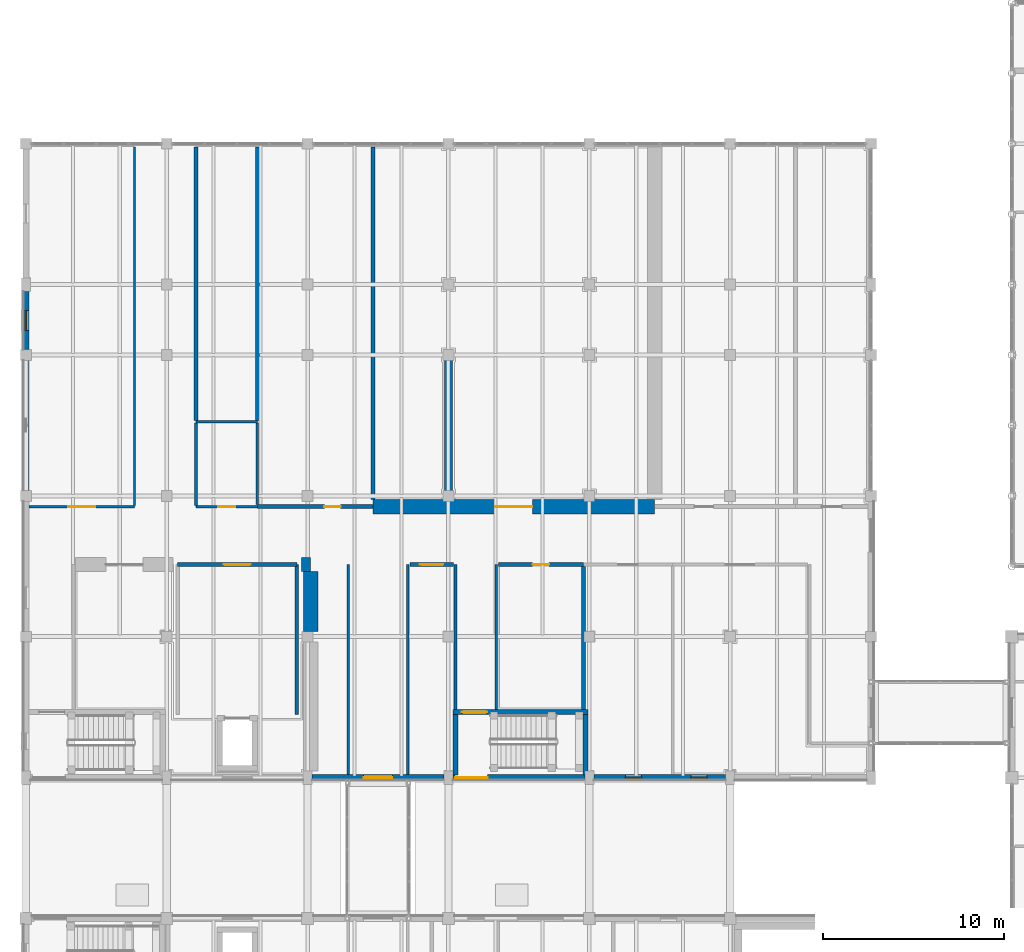
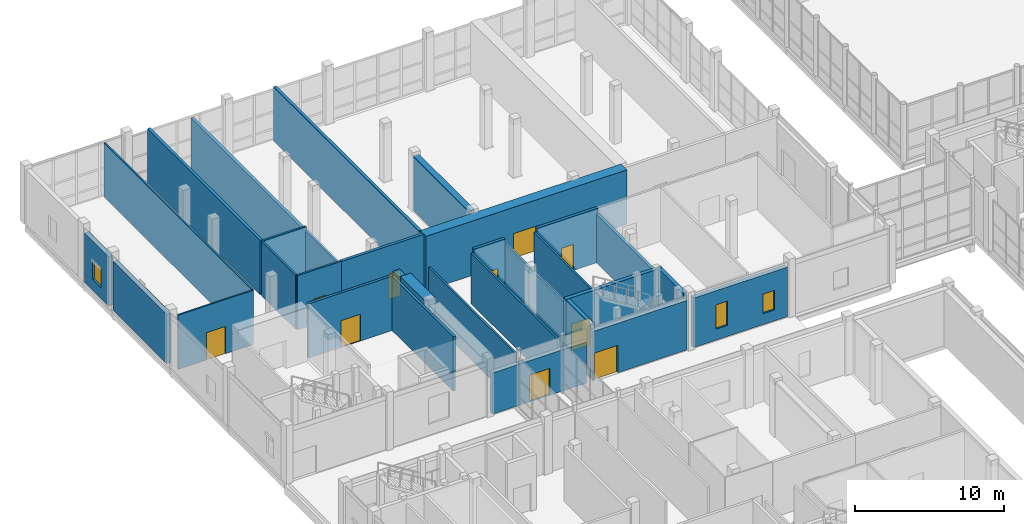
# One storey, part 94 of 131: 31 walls, 10 doors, 3 windows, 13 openings.
"""IFC4 building model written with IfcOpenShell, lengths in metres."""

from ifc_helpers import new_model, si_unit, direction, frame, frame_2d, origin, place, context, subcontext, project, spatial, rectangle, extrude, material, layer, layer_set, type_object, element, fill, save


model = new_model("IFC4")

# Units and contexts
model_context = context("Model", 3, precision=1e-05, world=origin(), true_north=direction((0.0, 1.0)))
body_context = subcontext(model_context, "Body", "Model", "MODEL_VIEW")
ifc_project = project(units=[si_unit("LENGTHUNIT", "METRE"), si_unit("AREAUNIT", "SQUARE_METRE"), si_unit("VOLUMEUNIT", "CUBIC_METRE"), si_unit("PLANEANGLEUNIT", "RADIAN"), si_unit("MASSUNIT", "GRAM", prefix="KILO")], contexts=[model_context])

# Site, building, storey
site_placement = place(None, origin())
site = spatial("IfcSite", under=ifc_project, at=site_placement, CompositionType="ELEMENT")
building_placement = place(site_placement, origin())
building = spatial("IfcBuilding", under=site, at=building_placement, Name="Celorna Specialist Clinic", CompositionType="ELEMENT")
storey_placement = place(building_placement, origin())
storey = spatial("IfcBuildingStorey", under=building, at=storey_placement, Name="L00", CompositionType="ELEMENT", Elevation=0.0)

# Wall
ifc_material_1 = material(Name="Concrete C40/50", Category="concrete")
ifc_layer_1 = layer(ifc_material_1, 0.800048828125, Name="Concrete C40/50")
ifc_layer_set_1 = layer_set([ifc_layer_1], Name="Concrete C40/50")
wall_type_1 = type_object("IfcWallType", Name="WT-02", PredefinedType="SOLIDWALL", material=ifc_layer_set_1)
wall_1_placement = place(storey_placement, frame((15.77001953125, 46.89990234375, 0.0), z_axis=(0.0, 0.0, 1.0), x_axis=(-1.0, 0.0, 0.0)))
element("IfcWall", 1, at=wall_1_placement, inside=storey, type_object=wall_type_1, Name="Interior partition WT-02 L00-026", PredefinedType="SOLIDWALL", context=body_context, shape_type="SweptSolid", body=[
    extrude(rectangle(XDim=0.52001953125, YDim=0.800048828125, at=frame_2d((0.260009765625, 0.0))), origin(), (0.0, 0.0, 1.0), 4.4599609375),
])

# Wall, opening, door
wall_2_placement = place(storey_placement, frame((19.219970703125, 50.10009765625, 0.0), z_axis=(0.0, 0.0, 1.0), x_axis=(1.0, 0.0, 0.0)))
wall_2 = element("IfcWall", 2, at=wall_2_placement, inside=storey, type_object=wall_type_1, Name="Interior partition WT-02 L00-034", PredefinedType="SOLIDWALL", context=body_context, shape_type="SweptSolid", body=[
    extrude(rectangle(XDim=15.60009765625, YDim=0.800048828125, at=frame_2d((7.800048828125, 0.0))), origin(), (0.0, 0.0, 1.0), 4.4599609375),
])
opening_1_placement = place(wall_2_placement, frame((6.77490234375, 0.0, 0.0)))
opening_1 = element("IfcOpeningElement", 3, at=opening_1_placement, cuts=wall_2, Name="Opening DR-18", PredefinedType="OPENING", context=body_context, shape_type="SweptSolid", body=[
    extrude(rectangle(XDim=2.050048828125, YDim=2.300048828125, at=frame_2d((1.02490234375, 1.14990234375))), frame((0.0, 0.409912109375, 0.0), z_axis=(0.0, -1.0, 0.0), x_axis=(1.0, 0.0, 0.0)), (0.0, 0.0, 1.0), 0.820068359375),
])
ifc_material_2 = material(Name="RF-shielded MRI suite double door")
door_type_1 = type_object("IfcDoorType", Name="DR-18", OperationType="DOUBLE_DOOR_SINGLE_SWING", PredefinedType="DOOR", material=ifc_material_2)
door_1_placement = place(opening_1_placement, origin())
door_1 = element("IfcDoor", 4, at=door_1_placement, inside=storey, type_object=door_type_1, Name="MRI Diagnostic Imaging Suite door L00-034", OperationType="DOUBLE_DOOR_SINGLE_SWING", OverallHeight=2.300048828125, OverallWidth=2.050048828125, PredefinedType="DOOR", context=body_context, shape_type="SweptSolid", body=[
    extrude(rectangle(XDim=2.050048828125, YDim=2.300048828125, at=frame_2d((1.02490234375, 1.14990234375))), frame((0.0, 0.02490234375, 0.0), z_axis=(0.0, -1.0, 0.0), x_axis=(1.0, 0.0, 0.0)), (0.0, 0.0, 1.0), 0.050048828125),
])
fill(opening_1, door_1)

# Walls
wall_3_placement = place(storey_placement, frame((15.77001953125, 43.199951171875, 0.0), z_axis=(0.0, 0.0, 1.0), x_axis=(0.0, 1.0, 0.0)))
element("IfcWall", 5, at=wall_3_placement, inside=storey, type_object=wall_type_1, Name="Room dividing partition WT-02 L00-026", PredefinedType="SOLIDWALL", context=body_context, shape_type="SweptSolid", body=[
    extrude(rectangle(XDim=3.300048828125, YDim=0.800048828125, at=frame_2d((1.64990234375, 0.0))), origin(), (0.0, 0.0, 1.0), 4.4599609375),
])
ifc_layer_2 = layer(ifc_material_1, 0.449951171875, Name="Concrete C40/50")
ifc_layer_set_2 = layer_set([ifc_layer_2], Name="Concrete C40/50")
wall_type_2 = type_object("IfcWallType", Name="WT-04", PredefinedType="SHEAR", material=ifc_layer_set_2)
wall_4_placement = place(storey_placement, frame((23.39990234375, 50.85009765625, 0.0), z_axis=(0.0, 0.0, 1.0), x_axis=(0.0, 1.0, 0.0)))
element("IfcWall", 6, at=wall_4_placement, inside=storey, type_object=wall_type_2, Name="Structural RC shear wall WT-04 V2 L00", PredefinedType="SHEAR", context=body_context, shape_type="SweptSolid", body=[
    extrude(rectangle(XDim=7.5, YDim=0.449951171875, at=frame_2d((3.75, 0.0))), origin(), (0.0, 0.0, 1.0), 4.4599609375),
])

# Wall, opening, door
ifc_material_3 = material(Name="Pero Pinheiro Lioz limestone insulated masonry", Category="masonry")
ifc_layer_3 = layer(ifc_material_3, 0.340087890625, Name="Pero Pinheiro Lioz limestone insulated masonry")
ifc_layer_set_3 = layer_set([ifc_layer_3], Name="Pero Pinheiro Lioz limestone insulated masonry")
wall_type_3 = type_object("IfcWallType", Name="WT-07", PredefinedType="STANDARD", material=ifc_layer_set_3)
wall_5_placement = place(storey_placement, frame((23.14990234375, 35.10009765625, 0.0), z_axis=(0.0, 0.0, 1.0), x_axis=(-1.0, 0.0, 0.0)))
wall_5 = element("IfcWall", 7, at=wall_5_placement, inside=storey, type_object=wall_type_3, Name="External facade wall WT-07 #104", PredefinedType="STANDARD", context=body_context, shape_type="SweptSolid", body=[
    extrude(rectangle(XDim=7.2998046875, YDim=0.340087890625, at=frame_2d((3.64990234375, 0.0))), origin(), (0.0, 0.0, 1.0), 3.385009765625),
])
opening_2_placement = place(wall_5_placement, frame((2.85009765625, 0.0, 0.0)))
opening_2 = element("IfcOpeningElement", 8, at=opening_2_placement, cuts=wall_5, Name="Opening DR-12", PredefinedType="OPENING", context=body_context, shape_type="SweptSolid", body=[
    extrude(rectangle(XDim=1.60009765625, YDim=2.199951171875, at=frame_2d((0.800048828125, 1.10009765625))), frame((0.0, 0.179931640625, 0.0), z_axis=(0.0, -1.0, 0.0), x_axis=(1.0, 0.0, 0.0)), (0.0, 0.0, 1.0), 0.360107421875),
])
ifc_material_4 = material(Name="Corridor cross-compartment pair door")
door_type_2 = type_object("IfcDoorType", Name="DR-12", OperationType="DOUBLE_DOOR_SINGLE_SWING", PredefinedType="DOOR", material=ifc_material_4)
door_2_placement = place(opening_2_placement, frame((1.60009765625, 0.0, 0.0), z_axis=(0.0, 0.0, 1.0), x_axis=(-1.0, 0.0, 0.0)))
door_2 = element("IfcDoor", 9, at=door_2_placement, inside=storey, type_object=door_type_2, Name="Bridge BR-01 north/east portal door L00", OperationType="DOUBLE_DOOR_SINGLE_SWING", OverallHeight=2.199951171875, OverallWidth=1.60009765625, PredefinedType="DOOR", context=body_context, shape_type="SweptSolid", body=[
    extrude(rectangle(XDim=1.60009765625, YDim=2.199951171875, at=frame_2d((0.800048828125, 1.10009765625))), frame((0.0, 0.02490234375, 0.0), z_axis=(0.0, -1.0, 0.0), x_axis=(1.0, 0.0, 0.0)), (0.0, 0.0, 1.0), 0.050048828125),
])
fill(opening_2, door_2)

wall_6_placement = place(storey_placement, frame((30.949951171875, 35.10009765625, 0.0), z_axis=(0.0, 0.0, 1.0), x_axis=(-1.0, 0.0, 0.0)))
wall_6 = element("IfcWall", 10, at=wall_6_placement, inside=storey, type_object=wall_type_3, Name="External facade wall WT-07 #105", PredefinedType="STANDARD", context=body_context, shape_type="SweptSolid", body=[
    extrude(rectangle(XDim=7.300048828125, YDim=0.340087890625, at=frame_2d((3.64990234375, 0.0))), origin(), (0.0, 0.0, 1.0), 4.06005859375),
])
opening_3_placement = place(wall_6_placement, frame((5.3798828125, 0.0, 0.0)))
opening_3 = element("IfcOpeningElement", 11, at=opening_3_placement, cuts=wall_6, Name="Opening DR-14", PredefinedType="OPENING", context=body_context, shape_type="SweptSolid", body=[
    extrude(rectangle(XDim=1.800048828125, YDim=2.25, at=frame_2d((0.89990234375, 1.125))), frame((0.0, 0.179931640625, 0.0), z_axis=(0.0, -1.0, 0.0), x_axis=(1.0, 0.0, 0.0)), (0.0, 0.0, 1.0), 0.360107421875),
])
ifc_material_5 = material(Name="Glazed aluminium final exit double door", Category="aluminium")
door_type_3 = type_object("IfcDoorType", Name="DR-14", OperationType="DOUBLE_DOOR_SINGLE_SWING", PredefinedType="DOOR", material=ifc_material_5)
door_3_placement = place(opening_3_placement, origin())
door_3 = element("IfcDoor", 12, at=door_3_placement, inside=storey, type_object=door_type_3, Name="Pedestrian final exit E07", OperationType="DOUBLE_DOOR_SINGLE_SWING", OverallHeight=2.25, OverallWidth=1.800048828125, PredefinedType="DOOR", context=body_context, shape_type="SweptSolid", body=[
    extrude(rectangle(XDim=1.800048828125, YDim=2.25, at=frame_2d((0.89990234375, 1.125))), frame((0.0, 0.02490234375, 0.0), z_axis=(0.0, -1.0, 0.0), x_axis=(1.0, 0.0, 0.0)), (0.0, 0.0, 1.0), 0.050048828125),
])
fill(opening_3, door_3)

# Wall, openings, windows
wall_7_placement = place(storey_placement, frame((38.75, 35.10009765625, 0.0), z_axis=(0.0, 0.0, 1.0), x_axis=(-1.0, 0.0, 0.0)))
wall_7 = element("IfcWall", 13, at=wall_7_placement, inside=storey, type_object=wall_type_3, Name="External facade wall WT-07 #106", PredefinedType="STANDARD", context=body_context, shape_type="SweptSolid", body=[
    extrude(rectangle(XDim=7.300048828125, YDim=0.340087890625, at=frame_2d((3.64990234375, 0.0))), origin(), (0.0, 0.0, 1.0), 4.06005859375),
])
opening_4_placement = place(wall_7_placement, frame((1.02490234375, 0.0, 0.89990234375)))
opening_4 = element("IfcOpeningElement", 14, at=opening_4_placement, cuts=wall_7, Name="Opening WN-01", PredefinedType="OPENING", context=body_context, shape_type="SweptSolid", body=[
    extrude(rectangle(XDim=0.89990234375, YDim=1.60009765625, at=frame_2d((0.449951171875, 0.800048828125))), frame((0.0, 0.179931640625, 0.0), z_axis=(0.0, -1.0, 0.0), x_axis=(1.0, 0.0, 0.0)), (0.0, 0.0, 1.0), 0.360107421875),
])
opening_5_placement = place(wall_7_placement, frame((4.655029296875, 0.0, 0.89990234375)))
opening_5 = element("IfcOpeningElement", 15, at=opening_5_placement, cuts=wall_7, Name="Opening WN-02", PredefinedType="OPENING", context=body_context, shape_type="SweptSolid", body=[
    extrude(rectangle(XDim=0.89990234375, YDim=2.0, at=frame_2d((0.449951171875, 1.0))), frame((0.0, 0.179931640625, 0.0), z_axis=(0.0, -1.0, 0.0), x_axis=(1.0, 0.0, 0.0)), (0.0, 0.0, 1.0), 0.360107421875),
])
ifc_material_6 = material(Name="Thermally broken aluminium triple-glazed window", Category="aluminium")
window_type_1 = type_object("IfcWindowType", Name="WN-01", PartitioningType="SINGLE_PANEL", PredefinedType="WINDOW", material=ifc_material_6)
window_1_placement = place(opening_4_placement, origin())
window_1 = element("IfcWindow", 16, at=window_1_placement, inside=storey, type_object=window_type_1, Name="Facade window WN-01 #21", OverallHeight=1.60009765625, OverallWidth=0.89990234375, PartitioningType="SINGLE_PANEL", PredefinedType="WINDOW", context=body_context, shape_type="SweptSolid", body=[
    extrude(rectangle(XDim=0.89990234375, YDim=1.60009765625, at=frame_2d((0.449951171875, 0.800048828125))), frame((0.0, 0.030029296875, 0.0), z_axis=(0.0, -1.0, 0.0), x_axis=(1.0, 0.0, 0.0)), (0.0, 0.0, 1.0), 0.06005859375),
])
fill(opening_4, window_1)
window_type_2 = type_object("IfcWindowType", Name="WN-02", PartitioningType="SINGLE_PANEL", PredefinedType="WINDOW", material=ifc_material_6)
window_2_placement = place(opening_5_placement, origin())
window_2 = element("IfcWindow", 17, at=window_2_placement, inside=storey, type_object=window_type_2, Name="Facade window WN-02 #22", OverallHeight=2.0, OverallWidth=0.89990234375, PartitioningType="SINGLE_PANEL", PredefinedType="WINDOW", context=body_context, shape_type="SweptSolid", body=[
    extrude(rectangle(XDim=0.89990234375, YDim=2.0, at=frame_2d((0.449951171875, 1.0))), frame((0.0, 0.030029296875, 0.0), z_axis=(0.0, -1.0, 0.0), x_axis=(1.0, 0.0, 0.0)), (0.0, 0.0, 1.0), 0.06005859375),
])
fill(opening_5, window_2)

# Wall
wall_8_placement = place(storey_placement, frame((0.0, 51.0, 0.0), z_axis=(0.0, 0.0, 1.0), x_axis=(0.0, 1.0, 0.0)))
element("IfcWall", 18, at=wall_8_placement, inside=storey, type_object=wall_type_3, Name="External facade wall WT-07 #110", PredefinedType="STANDARD", context=body_context, shape_type="SweptSolid", body=[
    extrude(rectangle(XDim=7.199951171875, YDim=0.340087890625, at=frame_2d((3.60009765625, 0.0))), origin(), (0.0, 0.0, 1.0), 4.06005859375),
])

# Wall, opening, window
wall_9_placement = place(storey_placement, frame((0.0, 58.800048828125, 0.0), z_axis=(0.0, 0.0, 1.0), x_axis=(0.0, 1.0, 0.0)))
wall_9 = element("IfcWall", 19, at=wall_9_placement, inside=storey, type_object=wall_type_3, Name="External facade wall WT-07 #111", PredefinedType="STANDARD", context=body_context, shape_type="SweptSolid", body=[
    extrude(rectangle(XDim=3.224853515625, YDim=0.340087890625, at=frame_2d((1.6123046875, 0.0))), origin(), (0.0, 0.0, 1.0), 4.06005859375),
])
opening_6_placement = place(wall_9_placement, frame((1.0625, 0.0, 0.89990234375)))
opening_6 = element("IfcOpeningElement", 20, at=opening_6_placement, cuts=wall_9, Name="Opening WN-03", PredefinedType="OPENING", context=body_context, shape_type="SweptSolid", body=[
    extrude(rectangle(XDim=1.10009765625, YDim=1.60009765625, at=frame_2d((0.550048828125, 0.800048828125))), frame((0.0, 0.179931640625, 0.0), z_axis=(0.0, -1.0, 0.0), x_axis=(1.0, 0.0, 0.0)), (0.0, 0.0, 1.0), 0.360107421875),
])
window_type_3 = type_object("IfcWindowType", Name="WN-03", PartitioningType="SINGLE_PANEL", PredefinedType="WINDOW", material=ifc_material_6)
window_3_placement = place(opening_6_placement, origin())
window_3 = element("IfcWindow", 21, at=window_3_placement, inside=storey, type_object=window_type_3, Name="Facade window WN-03 #26", OverallHeight=1.60009765625, OverallWidth=1.10009765625, PartitioningType="SINGLE_PANEL", PredefinedType="WINDOW", context=body_context, shape_type="SweptSolid", body=[
    extrude(rectangle(XDim=1.10009765625, YDim=1.60009765625, at=frame_2d((0.550048828125, 0.800048828125))), frame((0.0, 0.030029296875, 0.0), z_axis=(0.0, -1.0, 0.0), x_axis=(1.0, 0.0, 0.0)), (0.0, 0.0, 1.0), 0.06005859375),
])
fill(opening_6, window_3)

# Wall, opening, door
ifc_material_7 = material(Name="Concrete C35/45", Category="concrete")
ifc_layer_4 = layer(ifc_material_7, 0.300048828125, Name="Concrete C35/45")
ifc_layer_set_4 = layer_set([ifc_layer_4], Name="Concrete C35/45")
wall_type_4 = type_object("IfcWallType", Name="WT-08", PredefinedType="SHEAR", material=ifc_layer_set_4)
wall_10_placement = place(storey_placement, frame((31.139892578125, 38.72998046875, 0.0), z_axis=(0.0, 0.0, 1.0), x_axis=(-1.0, 0.0, 0.0)))
wall_10 = element("IfcWall", 22, at=wall_10_placement, inside=storey, type_object=wall_type_4, Name="Stair ST-07 RC core wall L00 north", PredefinedType="SHEAR", context=body_context, shape_type="SweptSolid", body=[
    extrude(rectangle(XDim=7.5, YDim=0.300048828125, at=frame_2d((3.75, 0.0))), origin(), (0.0, 0.0, 1.0), 4.4599609375),
])
opening_7_placement = place(wall_10_placement, frame((5.60009765625, 0.0, 0.0)))
opening_7 = element("IfcOpeningElement", 23, at=opening_7_placement, cuts=wall_10, Name="Opening DR-10", PredefinedType="OPENING", context=body_context, shape_type="SweptSolid", body=[
    extrude(rectangle(XDim=1.39990234375, YDim=2.199951171875, at=frame_2d((0.699951171875, 1.10009765625))), frame((0.0, 0.159912109375, 0.0), z_axis=(0.0, -1.0, 0.0), x_axis=(1.0, 0.0, 0.0)), (0.0, 0.0, 1.0), 0.320068359375),
])
ifc_material_8 = material(Name="Protected exit stair fire door")
door_type_4 = type_object("IfcDoorType", Name="DR-10", OperationType="NOTDEFINED", PredefinedType="DOOR", material=ifc_material_8)
door_4_placement = place(opening_7_placement, origin())
door_4 = element("IfcDoor", 24, at=door_4_placement, inside=storey, type_object=door_type_4, Name="Protected exit stair door ST-07 L00", OperationType="SINGLE_SWING_LEFT", OverallHeight=2.199951171875, OverallWidth=1.39990234375, PredefinedType="DOOR", context=body_context, shape_type="SweptSolid", body=[
    extrude(rectangle(XDim=1.39990234375, YDim=2.199951171875, at=frame_2d((0.699951171875, 1.10009765625))), frame((0.0, 0.02490234375, 0.0), z_axis=(0.0, -1.0, 0.0), x_axis=(1.0, 0.0, 0.0)), (0.0, 0.0, 1.0), 0.050048828125),
])
fill(opening_7, door_4)

# Walls
for number, where, z_axis, x_axis, name in (
    (25, (23.7900390625, 38.580078125, 0.0), (0.0, 0.0, 1.0), (0.0, -1.0, 0.0), "Stair ST-07 RC core wall L00 west"),
    (26, (30.989990234375, 35.25, 0.0), (0.0, 0.0, 1.0), (0.0, 1.0, 0.0), "Stair ST-07 RC core wall L00 east"),
):
    element("IfcWall", number, at=place(storey_placement, frame(where, z_axis=z_axis, x_axis=x_axis)), inside=storey, type_object=wall_type_4, Name=name, PredefinedType="SHEAR", context=body_context, shape_type="SweptSolid", body=[
        extrude(rectangle(XDim=3.330078125, YDim=0.300048828125, at=frame_2d((1.6650390625, 0.0))), origin(), (0.0, 0.0, 1.0), 4.4599609375),
    ])

# Wall, opening, door
ifc_material_9 = material(Name="Lead-lined gypsum and masonry partition", Category="masonry")
ifc_layer_5 = layer(ifc_material_9, 0.219970703125, Name="Lead-lined gypsum and masonry partition")
ifc_layer_set_5 = layer_set([ifc_layer_5], Name="Lead-lined gypsum and masonry partition")
wall_type_5 = type_object("IfcWallType", Name="WT-11", PredefinedType="PARTITIONING", material=ifc_layer_set_5)
wall_11_placement = place(storey_placement, frame((23.669921875, 46.89990234375, 0.0), z_axis=(0.0, 0.0, 1.0), x_axis=(-1.0, 0.0, 0.0)))
wall_11 = element("IfcWall", 27, at=wall_11_placement, inside=storey, type_object=wall_type_5, Name="Interior partition WT-11 L00-027", PredefinedType="PARTITIONING", context=body_context, shape_type="SweptSolid", body=[
    extrude(rectangle(XDim=2.39990234375, YDim=0.219970703125, at=frame_2d((1.199951171875, 0.0))), origin(), (0.0, 0.0, 1.0), 4.4599609375),
])
opening_8_placement = place(wall_11_placement, frame((0.550048828125, 0.0, 0.0)))
opening_8 = element("IfcOpeningElement", 28, at=opening_8_placement, cuts=wall_11, Name="Opening DR-09", PredefinedType="OPENING", context=body_context, shape_type="SweptSolid", body=[
    extrude(rectangle(XDim=1.300048828125, YDim=2.199951171875, at=frame_2d((0.64990234375, 1.10009765625))), frame((0.0, 0.119873046875, 0.0), z_axis=(0.0, -1.0, 0.0), x_axis=(1.0, 0.0, 0.0)), (0.0, 0.0, 1.0), 0.239990234375),
])
ifc_material_10 = material(Name="Lead-lined radiology room door")
door_type_5 = type_object("IfcDoorType", Name="DR-09", OperationType="NOTDEFINED", PredefinedType="DOOR", material=ifc_material_10)
door_5_placement = place(opening_8_placement, origin())
door_5 = element("IfcDoor", 29, at=door_5_placement, inside=storey, type_object=door_type_5, Name="CT Diagnostic Imaging Suite door L00-027", OperationType="SINGLE_SWING_RIGHT", OverallHeight=2.199951171875, OverallWidth=1.300048828125, PredefinedType="DOOR", context=body_context, shape_type="SweptSolid", body=[
    extrude(rectangle(XDim=1.300048828125, YDim=2.199951171875, at=frame_2d((0.64990234375, 1.10009765625))), frame((0.0, 0.02490234375, 0.0), z_axis=(0.0, -1.0, 0.0), x_axis=(1.0, 0.0, 0.0)), (0.0, 0.0, 1.0), 0.050048828125),
])
fill(opening_8, door_5)

wall_12_placement = place(storey_placement, frame((30.8701171875, 46.89990234375, 0.0), z_axis=(0.0, 0.0, 1.0), x_axis=(-1.0, 0.0, 0.0)))
wall_12 = element("IfcWall", 30, at=wall_12_placement, inside=storey, type_object=wall_type_5, Name="Interior partition WT-11 L00-028", PredefinedType="PARTITIONING", context=body_context, shape_type="SweptSolid", body=[
    extrude(rectangle(XDim=4.710205078125, YDim=0.219970703125, at=frame_2d((2.35498046875, 0.0))), origin(), (0.0, 0.0, 1.0), 4.4599609375),
])
opening_9_placement = place(wall_12_placement, frame((1.89501953125, 0.0, 0.0)))
opening_9 = element("IfcOpeningElement", 31, at=opening_9_placement, cuts=wall_12, Name="Opening DR-20", PredefinedType="OPENING", context=body_context, shape_type="SweptSolid", body=[
    extrude(rectangle(XDim=0.919921875, YDim=2.14990234375, at=frame_2d((0.4599609375, 1.074951171875))), frame((0.0, 0.119873046875, 0.0), z_axis=(0.0, -1.0, 0.0), x_axis=(1.0, 0.0, 0.0)), (0.0, 0.0, 1.0), 0.239990234375),
])
ifc_material_11 = material(Name="Timber clinical consultation door", Category="wood")
door_type_6 = type_object("IfcDoorType", Name="DR-20", OperationType="NOTDEFINED", PredefinedType="DOOR", material=ifc_material_11)
door_6_placement = place(opening_9_placement, origin())
door_6 = element("IfcDoor", 32, at=door_6_placement, inside=storey, type_object=door_type_6, Name="Imaging Control and Reporting Room door L00-028", OperationType="SINGLE_SWING_LEFT", OverallHeight=2.14990234375, OverallWidth=0.919921875, PredefinedType="DOOR", context=body_context, shape_type="SweptSolid", body=[
    extrude(rectangle(XDim=0.919921875, YDim=2.14990234375, at=frame_2d((0.4599609375, 1.074951171875))), frame((0.0, 0.02490234375, 0.0), z_axis=(0.0, -1.0, 0.0), x_axis=(1.0, 0.0, 0.0)), (0.0, 0.0, 1.0), 0.050048828125),
])
fill(opening_9, door_6)

wall_13_placement = place(storey_placement, frame((12.820068359375, 50.10009765625, 0.0), z_axis=(0.0, 0.0, 1.0), x_axis=(1.0, 0.0, 0.0)))
wall_13 = element("IfcWall", 33, at=wall_13_placement, inside=storey, type_object=wall_type_5, Name="Interior partition WT-11 L00-033", PredefinedType="PARTITIONING", context=body_context, shape_type="SweptSolid", body=[
    extrude(rectangle(XDim=6.39990234375, YDim=0.219970703125, at=frame_2d((3.199951171875, 0.0))), origin(), (0.0, 0.0, 1.0), 4.4599609375),
])
opening_10_placement = place(wall_13_placement, frame((3.7099609375, 0.0, 0.0)))
opening_10 = element("IfcOpeningElement", 34, at=opening_10_placement, cuts=wall_13, Name="Opening DR-02", PredefinedType="OPENING", context=body_context, shape_type="SweptSolid", body=[
    extrude(rectangle(XDim=0.89990234375, YDim=2.10009765625, at=frame_2d((0.449951171875, 1.050048828125))), frame((0.0, 0.119873046875, 0.0), z_axis=(0.0, -1.0, 0.0), x_axis=(1.0, 0.0, 0.0)), (0.0, 0.0, 1.0), 0.239990234375),
])
ifc_material_12 = material(Name="Timber acoustic clinical door", Category="wood")
door_type_7 = type_object("IfcDoorType", Name="DR-02", OperationType="NOTDEFINED", PredefinedType="DOOR", material=ifc_material_12)
door_7_placement = place(opening_10_placement, origin())
door_7 = element("IfcDoor", 35, at=door_7_placement, inside=storey, type_object=door_type_7, Name="CT Diagnostic Imaging Suite door L00-033", OperationType="SINGLE_SWING_RIGHT", OverallHeight=2.10009765625, OverallWidth=0.89990234375, PredefinedType="DOOR", context=body_context, shape_type="SweptSolid", body=[
    extrude(rectangle(XDim=0.89990234375, YDim=2.10009765625, at=frame_2d((0.449951171875, 1.050048828125))), frame((0.0, 0.02490234375, 0.0), z_axis=(0.0, -1.0, 0.0), x_axis=(1.0, 0.0, 0.0)), (0.0, 0.0, 1.0), 0.050048828125),
])
fill(opening_10, door_7)

# Walls
wall_14_placement = place(storey_placement, frame((30.8701171875, 38.8798828125, 0.0), z_axis=(0.0, 0.0, 1.0), x_axis=(0.0, 1.0, 0.0)))
element("IfcWall", 36, at=wall_14_placement, inside=storey, type_object=wall_type_5, Name="Room dividing partition WT-11 L00-028", PredefinedType="PARTITIONING", context=body_context, shape_type="SweptSolid", body=[
    extrude(rectangle(XDim=7.91015625, YDim=0.219970703125, at=frame_2d((3.955078125, 0.0))), origin(), (0.0, 0.0, 1.0), 4.010009765625),
])
wall_15_placement = place(storey_placement, frame((12.820068359375, 54.875, 0.0), z_axis=(0.0, 0.0, 1.0), x_axis=(0.0, 1.0, 0.0)))
element("IfcWall", 37, at=wall_15_placement, inside=storey, type_object=wall_type_5, Name="Room dividing partition WT-11 L00-033", PredefinedType="PARTITIONING", context=body_context, shape_type="SweptSolid", body=[
    extrude(rectangle(XDim=15.155029296875, YDim=0.219970703125, at=frame_2d((7.57763671875, 0.0))), origin(), (0.0, 0.0, 1.0), 4.1298828125),
])
wall_16_placement = place(storey_placement, frame((19.219970703125, 50.5, 0.0), z_axis=(0.0, 0.0, 1.0), x_axis=(0.0, 1.0, 0.0)))
element("IfcWall", 38, at=wall_16_placement, inside=storey, type_object=wall_type_5, Name="Room dividing partition WT-11 L00-033", PredefinedType="PARTITIONING", context=body_context, shape_type="SweptSolid", body=[
    extrude(rectangle(XDim=19.530029296875, YDim=0.219970703125, at=frame_2d((9.76513671875, 0.0))), origin(), (0.0, 0.0, 1.0), 4.4599609375),
])
wall_17_placement = place(storey_placement, frame((9.419921875, 54.875, 0.0), z_axis=(0.0, 0.0, 1.0), x_axis=(0.0, 1.0, 0.0)))
element("IfcWall", 39, at=wall_17_placement, inside=storey, type_object=wall_type_5, Name="Room dividing partition WT-11 L00-033", PredefinedType="PARTITIONING", context=body_context, shape_type="SweptSolid", body=[
    extrude(rectangle(XDim=15.155029296875, YDim=0.219970703125, at=frame_2d((7.57763671875, 0.0))), origin(), (0.0, 0.0, 1.0), 4.4599609375),
])

# Wall, opening, door
ifc_layer_6 = layer(ifc_material_7, 0.199951171875, Name="Concrete C35/45")
ifc_layer_set_6 = layer_set([ifc_layer_6], Name="Concrete C35/45")
wall_type_6 = type_object("IfcWallType", Name="WT-12", PredefinedType="SOLIDWALL", material=ifc_layer_set_6)
wall_18_placement = place(storey_placement, frame((15.0, 46.89990234375, 0.0), z_axis=(0.0, 0.0, 1.0), x_axis=(-1.0, 0.0, 0.0)))
wall_18 = element("IfcWall", 40, at=wall_18_placement, inside=storey, type_object=wall_type_6, Name="Lift lobby wall LF-06 L00", PredefinedType="SOLIDWALL", context=body_context, shape_type="SweptSolid", body=[
    extrude(rectangle(XDim=6.60009765625, YDim=0.199951171875, at=frame_2d((3.300048828125, 0.0))), origin(), (0.0, 0.0, 1.0), 4.4599609375),
])
opening_11_placement = place(wall_18_placement, frame((2.550048828125, 0.0, 0.0)))
opening_11 = element("IfcOpeningElement", 41, at=opening_11_placement, cuts=wall_18, Name="Opening DR-11", PredefinedType="OPENING", context=body_context, shape_type="SweptSolid", body=[
    extrude(rectangle(XDim=1.5, YDim=2.199951171875, at=frame_2d((0.75, 1.10009765625))), frame((0.0, 0.10986328125, 0.0), z_axis=(0.0, -1.0, 0.0), x_axis=(1.0, 0.0, 0.0)), (0.0, 0.0, 1.0), 0.219970703125),
])
ifc_material_13 = material(Name="Firefighting lobby double fire door")
door_type_8 = type_object("IfcDoorType", Name="DR-11", OperationType="DOUBLE_DOOR_SINGLE_SWING", PredefinedType="DOOR", material=ifc_material_13)
door_8_placement = place(opening_11_placement, origin())
door_8 = element("IfcDoor", 42, at=door_8_placement, inside=storey, type_object=door_type_8, Name="Lift lobby fire door LF-06 L00", OperationType="DOUBLE_DOOR_SINGLE_SWING", OverallHeight=2.199951171875, OverallWidth=1.5, PredefinedType="DOOR", context=body_context, shape_type="SweptSolid", body=[
    extrude(rectangle(XDim=1.5, YDim=2.199951171875, at=frame_2d((0.75, 1.10009765625))), frame((0.0, 0.02490234375, 0.0), z_axis=(0.0, -1.0, 0.0), x_axis=(1.0, 0.0, 0.0)), (0.0, 0.0, 1.0), 0.050048828125),
])
fill(opening_11, door_8)

# Walls
wall_19_placement = place(storey_placement, frame((15.0, 38.60009765625, 0.0), z_axis=(0.0, 0.0, 1.0), x_axis=(0.0, 1.0, 0.0)))
element("IfcWall", 43, at=wall_19_placement, inside=storey, type_object=wall_type_6, Name="Lift lobby wall LF-06 L00", PredefinedType="SOLIDWALL", context=body_context, shape_type="SweptSolid", body=[
    extrude(rectangle(XDim=8.2998046875, YDim=0.199951171875, at=frame_2d((4.14990234375, 0.0))), origin(), (0.0, 0.0, 1.0), 4.4599609375),
])
ifc_material_14 = material(Name="Fire-rated gypsum board partition")
ifc_layer_7 = layer(ifc_material_14, 0.14990234375, Name="Fire-rated gypsum board partition")
ifc_layer_set_7 = layer_set([ifc_layer_7], Name="Fire-rated gypsum board partition")
wall_type_7 = type_object("IfcWallType", Name="WT-14", PredefinedType="PARTITIONING", material=ifc_layer_set_7)
wall_20_placement = place(storey_placement, frame((23.7900390625, 38.8798828125, 0.0), z_axis=(0.0, 0.0, 1.0), x_axis=(0.0, 1.0, 0.0)))
element("IfcWall", 44, at=wall_20_placement, inside=storey, type_object=wall_type_7, Name="Corridor spur partition WT-14", PredefinedType="PARTITIONING", context=body_context, shape_type="SweptSolid", body=[
    extrude(rectangle(XDim=8.02001953125, YDim=0.14990234375, at=frame_2d((4.010009765625, 0.0))), origin(), (0.0, 0.0, 1.0), 4.010009765625),
])
wall_21_placement = place(storey_placement, frame((26.0400390625, 38.8798828125, 0.0), z_axis=(0.0, 0.0, 1.0), x_axis=(0.0, 1.0, 0.0)))
element("IfcWall", 45, at=wall_21_placement, inside=storey, type_object=wall_type_7, Name="Corridor spur partition WT-14", PredefinedType="PARTITIONING", context=body_context, shape_type="SweptSolid", body=[
    extrude(rectangle(XDim=8.02001953125, YDim=0.14990234375, at=frame_2d((4.010009765625, 0.0))), origin(), (0.0, 0.0, 1.0), 4.1298828125),
])
for number, where, z_axis, x_axis, name in (
    (46, (17.85009765625, 35.27001953125, 0.0), (0.0, 0.0, 1.0), (0.0, 1.0, 0.0), "Corridor spur partition WT-14"),
    (47, (21.14990234375, 35.27001953125, 0.0), (0.0, 0.0, 1.0), (0.0, 1.0, 0.0), "Corridor spur partition WT-14"),
):
    element("IfcWall", number, at=place(storey_placement, frame(where, z_axis=z_axis, x_axis=x_axis)), inside=storey, type_object=wall_type_7, Name=name, PredefinedType="PARTITIONING", context=body_context, shape_type="SweptSolid", body=[
        extrude(rectangle(XDim=11.6298828125, YDim=0.14990234375, at=frame_2d((5.81494140625, 0.0))), origin(), (0.0, 0.0, 1.0), 4.1298828125),
    ])

# Wall, opening, door
wall_22_placement = place(storey_placement, frame((9.419921875, 50.10009765625, 0.0), z_axis=(0.0, 0.0, 1.0), x_axis=(1.0, 0.0, 0.0)))
wall_22 = element("IfcWall", 48, at=wall_22_placement, inside=storey, type_object=wall_type_7, Name="Interior partition WT-14 L00-032", PredefinedType="PARTITIONING", context=body_context, shape_type="SweptSolid", body=[
    extrude(rectangle(XDim=3.400146484375, YDim=0.14990234375, at=frame_2d((1.7001953125, 0.0))), origin(), (0.0, 0.0, 1.0), 4.4599609375),
])
opening_12_placement = place(wall_22_placement, frame((1.22509765625, 0.0, 0.0)))
opening_12 = element("IfcOpeningElement", 49, at=opening_12_placement, cuts=wall_22, Name="Opening DR-03", PredefinedType="OPENING", context=body_context, shape_type="SweptSolid", body=[
    extrude(rectangle(XDim=0.949951171875, YDim=2.10009765625, at=frame_2d((0.47509765625, 1.050048828125))), frame((0.0, 0.0849609375, 0.0), z_axis=(0.0, -1.0, 0.0), x_axis=(1.0, 0.0, 0.0)), (0.0, 0.0, 1.0), 0.169921875),
])
ifc_material_15 = material(Name="Moisture-resistant accessible WC door")
door_type_9 = type_object("IfcDoorType", Name="DR-03", OperationType="NOTDEFINED", PredefinedType="DOOR", material=ifc_material_15)
door_9_placement = place(opening_12_placement, origin())
door_9 = element("IfcDoor", 50, at=door_9_placement, inside=storey, type_object=door_type_9, Name="Accessible WC door L00-032", OperationType="SINGLE_SWING_LEFT", OverallHeight=2.10009765625, OverallWidth=0.949951171875, PredefinedType="DOOR", context=body_context, shape_type="SweptSolid", body=[
    extrude(rectangle(XDim=0.949951171875, YDim=2.10009765625, at=frame_2d((0.47509765625, 1.050048828125))), frame((0.0, 0.02490234375, 0.0), z_axis=(0.0, -1.0, 0.0), x_axis=(1.0, 0.0, 0.0)), (0.0, 0.0, 1.0), 0.050048828125),
])
fill(opening_12, door_9)

# Walls
wall_23_placement = place(storey_placement, frame((9.419921875, 54.800048828125, 0.0), z_axis=(0.0, 0.0, 1.0), x_axis=(1.0, 0.0, 0.0)))
element("IfcWall", 51, at=wall_23_placement, inside=storey, type_object=wall_type_7, Name="Sanitary suite rear partition L00-032", PredefinedType="PARTITIONING", context=body_context, shape_type="SweptSolid", body=[
    extrude(rectangle(XDim=3.400146484375, YDim=0.14990234375, at=frame_2d((1.7001953125, 0.0))), origin(), (0.0, 0.0, 1.0), 4.4599609375),
])
wall_24_placement = place(storey_placement, frame((9.419921875, 50.175048828125, 0.0), z_axis=(0.0, 0.0, 1.0), x_axis=(0.0, 1.0, 0.0)))
element("IfcWall", 52, at=wall_24_placement, inside=storey, type_object=wall_type_7, Name="Room dividing partition WT-14 L00-032", PredefinedType="PARTITIONING", context=body_context, shape_type="SweptSolid", body=[
    extrude(rectangle(XDim=4.550048828125, YDim=0.14990234375, at=frame_2d((2.27490234375, 0.0))), origin(), (0.0, 0.0, 1.0), 4.4599609375),
])
wall_25_placement = place(storey_placement, frame((12.820068359375, 50.2099609375, 0.0), z_axis=(0.0, 0.0, 1.0), x_axis=(0.0, 1.0, 0.0)))
element("IfcWall", 53, at=wall_25_placement, inside=storey, type_object=wall_type_7, Name="Room dividing partition WT-14 L00-032", PredefinedType="PARTITIONING", context=body_context, shape_type="SweptSolid", body=[
    extrude(rectangle(XDim=4.51513671875, YDim=0.14990234375, at=frame_2d((2.257568359375, 0.0))), origin(), (0.0, 0.0, 1.0), 4.1298828125),
])

# Wall, opening, door
ifc_material_16 = material(Name="Acoustic gypsum board partition")
ifc_layer_8 = layer(ifc_material_16, 0.1201171875, Name="Acoustic gypsum board partition")
ifc_layer_set_8 = layer_set([ifc_layer_8], Name="Acoustic gypsum board partition")
wall_type_8 = type_object("IfcWallType", Name="WT-15", PredefinedType="PARTITIONING", material=ifc_layer_set_8)
wall_26_placement = place(storey_placement, frame((0.169921875, 50.10009765625, 0.0), z_axis=(0.0, 0.0, 1.0), x_axis=(1.0, 0.0, 0.0)))
wall_26 = element("IfcWall", 54, at=wall_26_placement, inside=storey, type_object=wall_type_8, Name="Interior partition WT-15 L00-031", PredefinedType="PARTITIONING", context=body_context, shape_type="SweptSolid", body=[
    extrude(rectangle(XDim=5.85009765625, YDim=0.1201171875, at=frame_2d((2.925048828125, 0.0))), origin(), (0.0, 0.0, 1.0), 4.4599609375),
])
opening_13_placement = place(wall_26_placement, frame((2.18505859375, 0.0, 0.0)))
opening_13 = element("IfcOpeningElement", 55, at=opening_13_placement, cuts=wall_26, Name="Opening DR-23", PredefinedType="OPENING", context=body_context, shape_type="SweptSolid", body=[
    extrude(rectangle(XDim=1.47998046875, YDim=2.25, at=frame_2d((0.739990234375, 1.125))), frame((0.0, 0.070068359375, 0.0), z_axis=(0.0, -1.0, 0.0), x_axis=(1.0, 0.0, 0.0)), (0.0, 0.0, 1.0), 0.14013671875),
])
ifc_material_17 = material(Name="Double leaf treatment room door")
door_type_10 = type_object("IfcDoorType", Name="DR-23", OperationType="DOUBLE_DOOR_SINGLE_SWING", PredefinedType="DOOR", material=ifc_material_17)
door_10_placement = place(opening_13_placement, origin())
door_10 = element("IfcDoor", 56, at=door_10_placement, inside=storey, type_object=door_type_10, Name="Contrast Media Preparation Room door L00-031", OperationType="DOUBLE_DOOR_SINGLE_SWING", OverallHeight=2.25, OverallWidth=1.47998046875, PredefinedType="DOOR", context=body_context, shape_type="SweptSolid", body=[
    extrude(rectangle(XDim=1.47998046875, YDim=2.25, at=frame_2d((0.739990234375, 1.125))), frame((0.0, 0.02490234375, 0.0), z_axis=(0.0, -1.0, 0.0), x_axis=(1.0, 0.0, 0.0)), (0.0, 0.0, 1.0), 0.050048828125),
])
fill(opening_13, door_10)

# Wall
wall_27_placement = place(storey_placement, frame((6.02001953125, 50.159912109375, 0.0), z_axis=(0.0, 0.0, 1.0), x_axis=(0.0, 1.0, 0.0)))
element("IfcWall", 57, at=wall_27_placement, inside=storey, type_object=wall_type_8, Name="Room dividing partition WT-15 L00-031", PredefinedType="PARTITIONING", context=body_context, shape_type="SweptSolid", body=[
    extrude(rectangle(XDim=19.8701171875, YDim=0.1201171875, at=frame_2d((9.93505859375, 0.0))), origin(), (0.0, 0.0, 1.0), 4.4599609375),
])

save(model, "model.ifc")
